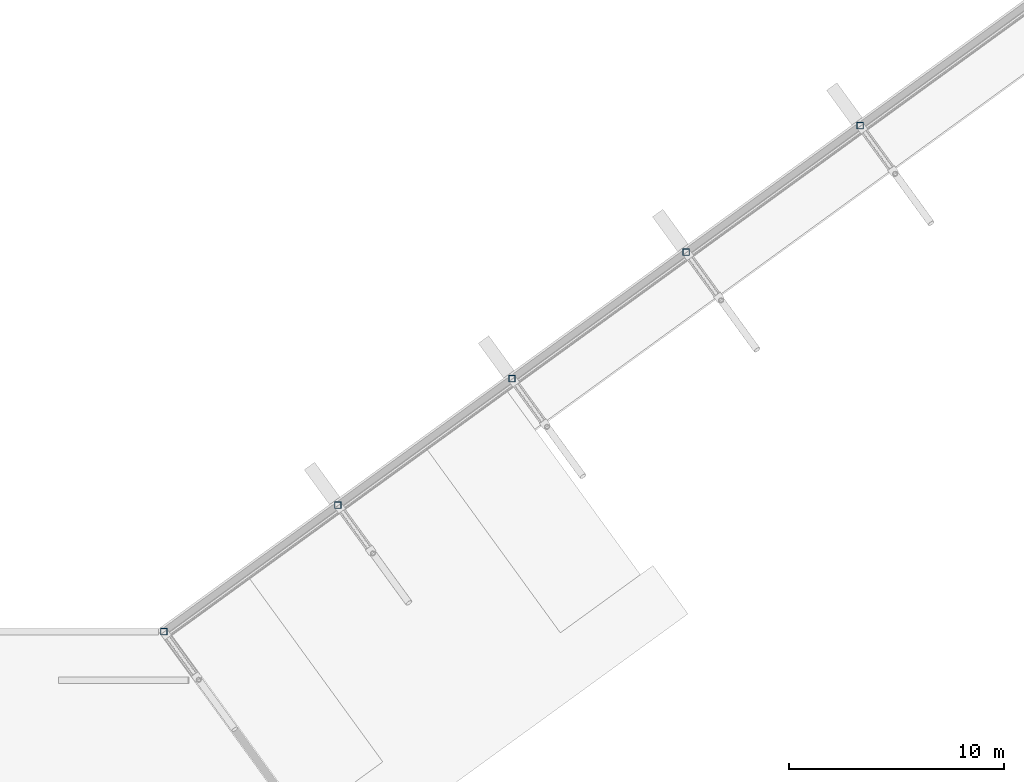
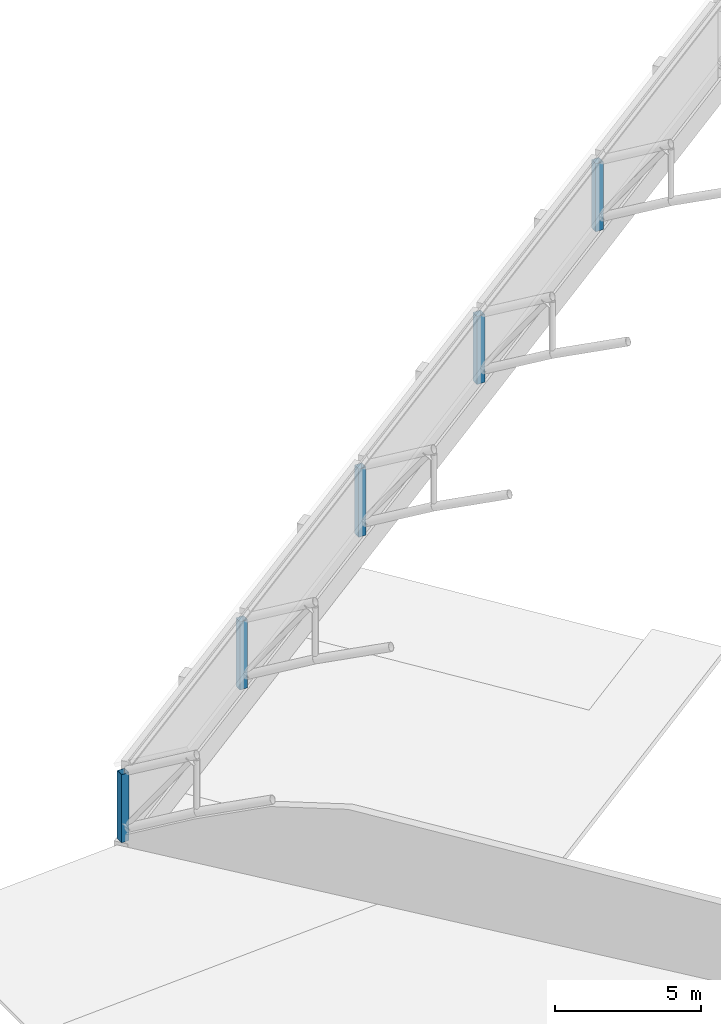
# One storey, part 23 of 196: 5 columns.
"""IFC4 building model written with IfcOpenShell, lengths in metres."""

from ifc_helpers import new_model, si_unit, direction, frame, origin, origin_2d, place, context, subcontext, project, spatial, hollow_rectangle, extrude, material, material_profile, profile_set, type_object, element, save


model = new_model("IFC4")

# Units and contexts
model_context = context("Model", 3, precision=1e-05, world=origin(), true_north=direction((0.0, 1.0)))
body_context = subcontext(model_context, "Body", "Model", "MODEL_VIEW")
ifc_project = project(units=[si_unit("LENGTHUNIT", "METRE"), si_unit("AREAUNIT", "SQUARE_METRE"), si_unit("VOLUMEUNIT", "CUBIC_METRE"), si_unit("PLANEANGLEUNIT", "RADIAN"), si_unit("MASSUNIT", "GRAM", prefix="KILO")], contexts=[model_context])

# Site, building, storey
site_placement = place(None, origin())
site = spatial("IfcSite", under=ifc_project, at=site_placement, CompositionType="ELEMENT")
building_placement = place(site_placement, origin())
building = spatial("IfcBuilding", under=site, at=building_placement, Name="Okhra Congress Centre", CompositionType="ELEMENT")
storey_placement = place(building_placement, frame((0.0, 0.0, 12.0)))
storey = spatial("IfcBuildingStorey", under=building, at=storey_placement, Name="L02", CompositionType="ELEMENT", Elevation=12.0)

# Columns
ifc_material = material(Name="Steel S355J2H", Category="steel")
ifc_material_profile = material_profile(ifc_material, hollow_rectangle(XDim=0.300048828125, YDim=0.300048828125, WallThickness=0.012451171875, at=origin_2d()), Name="RHS 300x300x12.5")
ifc_profile_set = profile_set([ifc_material_profile], Name="Steel S355J2H")
column_type = type_object("IfcColumnType", Name="RHS 300x300x12.5", PredefinedType="COLUMN", material=ifc_profile_set)
for number, where, z_axis, x_axis, name in (
    (1, (198.070068359375, 199.7958984375, 1.0), (0.0, 0.0, 1.0), (1.0, 0.0, 0.0), "Truss 1 end post N"),
    (2, (206.16015625, 205.673583984375, 1.0), (0.0, 0.0, 1.0), (1.0, 0.0, 0.0), "Truss 2 end post N"),
    (3, (214.25048828125, 211.551513671875, 1.0), (0.0, 0.0, 1.0), (1.0, 0.0, 0.0), "Truss 3 end post N"),
    (4, (222.340576171875, 217.429443359375, 1.0), (0.0, 0.0, 1.0), (1.0, 0.0, 0.0), "Truss 4 end post N"),
    (5, (230.4306640625, 223.30712890625, 1.0), (0.0, 0.0, 1.0), (1.0, 0.0, 0.0), "Truss 5 end post N"),
):
    element("IfcColumn", number, at=place(storey_placement, frame(where, z_axis=z_axis, x_axis=x_axis)), inside=storey, type_object=column_type, Name=name, PredefinedType="COLUMN", context=body_context, shape_type="SweptSolid", body=[
        extrude(hollow_rectangle(XDim=0.300048828125, YDim=0.300048828125, WallThickness=0.012451171875, at=origin_2d()), origin(), (0.0, 0.0, 1.0), 2.85009765625),
    ])

save(model, "model.ifc")
